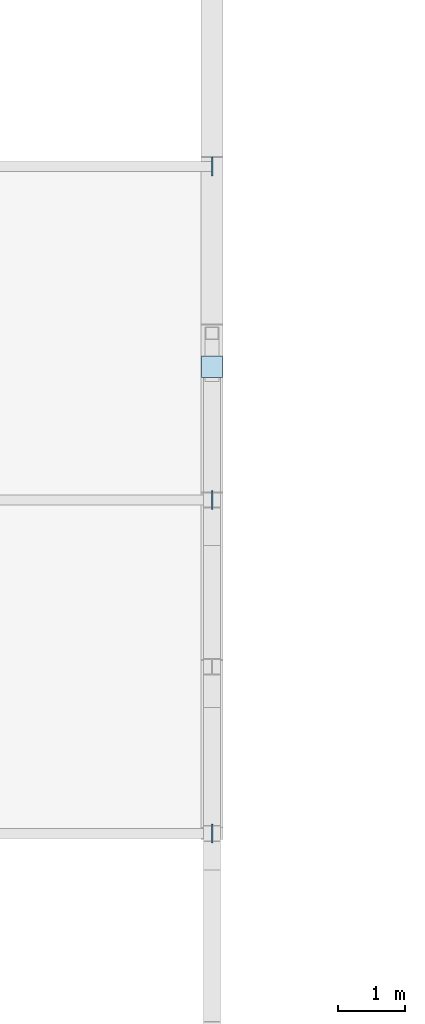
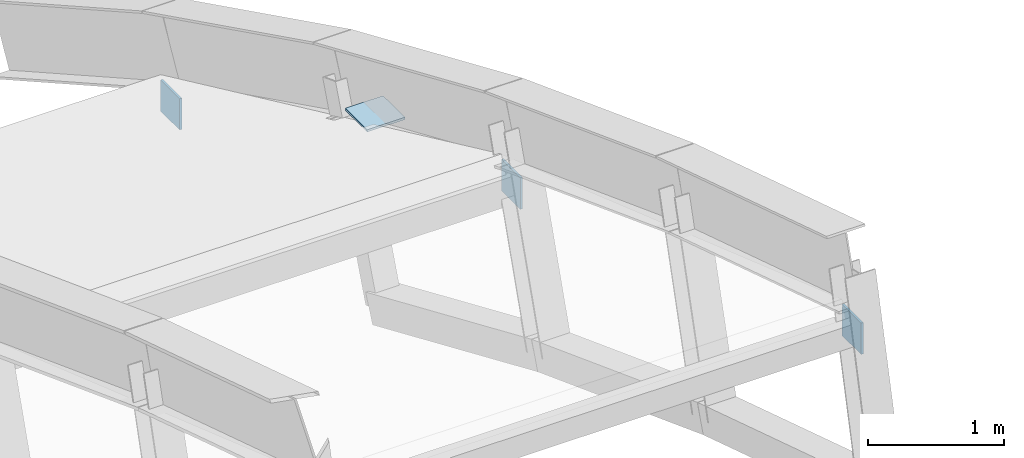
# One storey, part 83 of 103: 4 plates.
"""IFC4 building model written with IfcOpenShell, lengths in metres."""

from ifc_helpers import new_model, si_unit, direction, frame, origin, origin_2d, place, context, subcontext, project, spatial, rectangle, extrude, material, layer, layer_set, type_object, element, save


model = new_model("IFC4")

# Units and contexts
model_context = context("Model", 3, precision=1e-05, world=origin(), true_north=direction((0.0, 1.0)))
body_context = subcontext(model_context, "Body", "Model", "MODEL_VIEW")
ifc_project = project(units=[si_unit("LENGTHUNIT", "METRE"), si_unit("AREAUNIT", "SQUARE_METRE"), si_unit("VOLUMEUNIT", "CUBIC_METRE"), si_unit("PLANEANGLEUNIT", "RADIAN"), si_unit("MASSUNIT", "GRAM", prefix="KILO")], contexts=[model_context])

# Site, building, storey
site_placement = place(None, origin())
site = spatial("IfcSite", under=ifc_project, at=site_placement, CompositionType="ELEMENT")
building_placement = place(site_placement, origin())
building = spatial("IfcBuilding", under=site, at=building_placement, Name="Cazmaro Siding Exhibition Halls", CompositionType="ELEMENT")
storey_placement = place(building_placement, frame((0.0, 0.0, 16.5)))
storey = spatial("IfcBuildingStorey", under=building, at=storey_placement, Name="L03", CompositionType="ELEMENT", Elevation=16.5)

# Plates
ifc_material_1 = material(Name="Steel ASTM A572 Grade 50", Category="steel")
ifc_layer_1 = layer(ifc_material_1, 0.02001953125)
ifc_layer_set_1 = layer_set([ifc_layer_1], Name="Steel ASTM A572 Grade 50")
plate_type_1 = type_object("IfcPlateType", Name="CP-02", PredefinedType="SHEET", material=ifc_layer_set_1)
plate_placement = place(storey_placement, frame((171.0, 116.0, 1.989013671875), z_axis=(0.0, 0.0, 1.0), x_axis=(1.0, 0.0, 0.0)))
element("IfcPlate", 1, at=plate_placement, inside=storey, type_object=plate_type_1, Name="HSS column top end-cap plate CP-02", PredefinedType="SHEET", context=body_context, shape_type="SweptSolid", body=[
    extrude(rectangle(XDim=0.320068359375, YDim=0.320068359375, at=origin_2d()), origin(), (0.0, 0.0, 1.0), 0.02001953125),
])
ifc_material_2 = material(Name="Steel ASTM A572 Grade 50", Category="steel")
ifc_layer_2 = layer(ifc_material_2, 0.02001953125)
ifc_layer_set_2 = layer_set([ifc_layer_2], Name="Steel ASTM A572 Grade 50")
plate_type_2 = type_object("IfcPlateType", Name="CP-12", PredefinedType="SHEET", material=ifc_layer_set_2)
for number, where, z_axis, x_axis, name in (
    (2, (170.994873046875, 109.0, 4.31494140625), (1.0, 0.0, 0.0), (0.0, 1.0, 0.0), "HSS purlin end-cap plate CP-12"),
    (3, (170.994873046875, 114.0, 2.58203125), (1.0, 0.0, 0.0), (0.0, 1.0, 0.0), "HSS purlin end-cap plate CP-12"),
    (4, (170.994873046875, 119.0, 0.260986328125), (1.0, 0.0, 0.0), (0.0, 1.0, 0.0), "HSS purlin end-cap plate CP-12"),
):
    element("IfcPlate", number, at=place(storey_placement, frame(where, z_axis=z_axis, x_axis=x_axis)), inside=storey, type_object=plate_type_2, Name=name, PredefinedType="SHEET", context=body_context, shape_type="SweptSolid", body=[
        extrude(rectangle(XDim=0.280029296875, YDim=0.280029296875, at=origin_2d()), origin(), (0.0, 0.0, 1.0), 0.02001953125),
    ])

save(model, "model.ifc")
